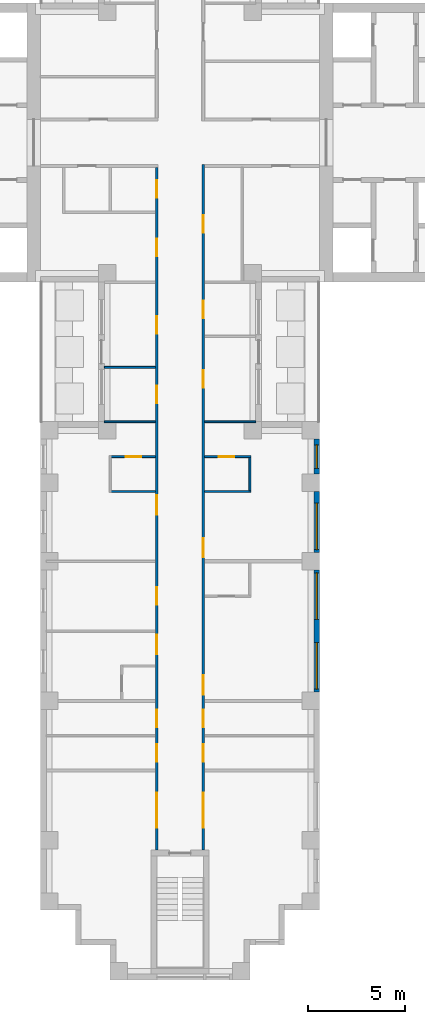
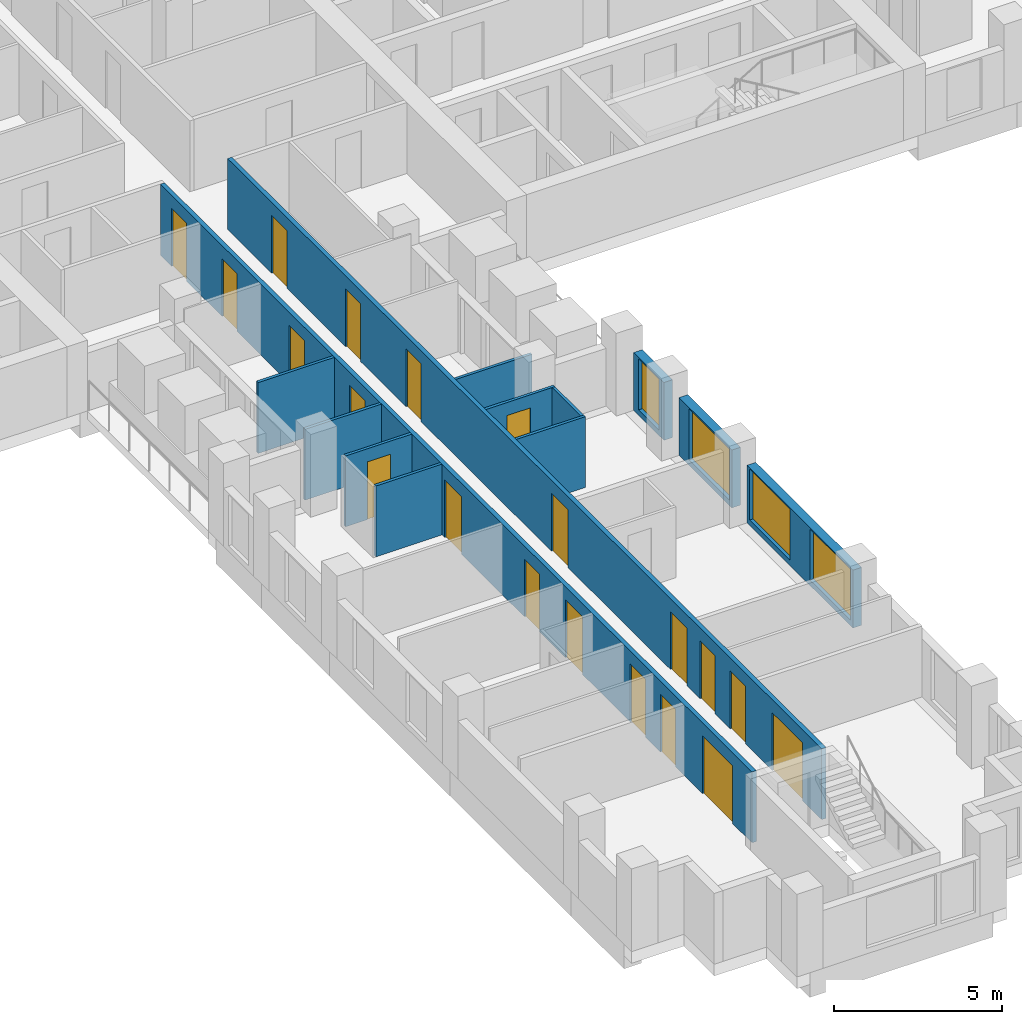
# One storey, part 4 of 15: 20 doors, 13 walls, 4 windows, 24 openings.
"""IFC4 building model written with IfcOpenShell, lengths in metres."""

from ifc_helpers import new_model, si_unit, direction, frame, frame_2d, origin, place, context, subcontext, project, spatial, rectangle, extrude, material, layer, layer_set, type_object, element, fill, save


model = new_model("IFC4")

# Units and contexts
model_context = context("Model", 3, precision=1e-05, world=origin(), true_north=direction((0.0, 1.0)))
body_context = subcontext(model_context, "Body", "Model", "MODEL_VIEW")
ifc_project = project(units=[si_unit("LENGTHUNIT", "METRE"), si_unit("AREAUNIT", "SQUARE_METRE"), si_unit("VOLUMEUNIT", "CUBIC_METRE"), si_unit("PLANEANGLEUNIT", "RADIAN"), si_unit("MASSUNIT", "GRAM", prefix="KILO")], contexts=[model_context])

# Site, building, storey
site_placement = place(None, origin())
site = spatial("IfcSite", under=ifc_project, at=site_placement, CompositionType="ELEMENT")
building_placement = place(site_placement, origin())
building = spatial("IfcBuilding", under=site, at=building_placement, Name="Fustian Cross Tower", CompositionType="ELEMENT")
storey_placement = place(building_placement, frame((0.0, 0.0, 41.699951171875)))
storey = spatial("IfcBuildingStorey", under=building, at=storey_placement, Name="L12", CompositionType="ELEMENT", Elevation=41.699951171875)

# Wall, openings, doors
ifc_material_1 = material(Name="Plasterboard on steel stud", Category="steel")
ifc_layer_1 = layer(ifc_material_1, 0.14990234375)
ifc_layer_set_1 = layer_set([ifc_layer_1], Name="Plasterboard on steel stud")
wall_type_1 = type_object("IfcWallType", Name="COMPARTMENT WALL 150 EI 60", PredefinedType="PARTITIONING", material=ifc_layer_set_1)
wall_1_placement = place(storey_placement, frame((-1.199951171875, -36.5, 0.0), z_axis=(0.0, 0.0, 1.0), x_axis=(0.0, 1.0, 0.0)))
wall_1 = element("IfcWall", 1, at=wall_1_placement, inside=storey, type_object=wall_type_1, Name="Partition 38", PredefinedType="PARTITIONING", context=body_context, shape_type="SweptSolid", body=[
    extrude(rectangle(XDim=35.22509765625, YDim=0.14990234375, at=frame_2d((17.612548828125, 0.0))), origin(), (0.0, 0.0, 1.0), 2.574951171875),
])
opening_1_placement = place(wall_1_placement, frame((33.64990234375, 0.0, 0.0)))
opening_1 = element("IfcOpeningElement", 2, at=opening_1_placement, cuts=wall_1, Name="Opening D07007", PredefinedType="OPENING", context=body_context, shape_type="SweptSolid", body=[
    extrude(rectangle(XDim=0.89990234375, YDim=2.10009765625, at=frame_2d((0.449951171875, 1.050048828125))), frame((0.0, 0.0849609375, 0.0), z_axis=(0.0, -1.0, 0.0), x_axis=(1.0, 0.0, 0.0)), (0.0, 0.0, 1.0), 0.169921875),
])
opening_2_placement = place(wall_1_placement, frame((30.64990234375, 0.0, 0.0)))
opening_2 = element("IfcOpeningElement", 3, at=opening_2_placement, cuts=wall_1, Name="Opening D07009", PredefinedType="OPENING", context=body_context, shape_type="SweptSolid", body=[
    extrude(rectangle(XDim=0.89990234375, YDim=2.10009765625, at=frame_2d((0.449951171875, 1.050048828125))), frame((0.0, 0.0849609375, 0.0), z_axis=(0.0, -1.0, 0.0), x_axis=(1.0, 0.0, 0.0)), (0.0, 0.0, 1.0), 0.169921875),
])
opening_3_placement = place(wall_1_placement, frame((23.050048828125, 0.0, 0.0)))
opening_3 = element("IfcOpeningElement", 4, at=opening_3_placement, cuts=wall_1, Name="Opening D07058", PredefinedType="OPENING", context=body_context, shape_type="SweptSolid", body=[
    extrude(rectangle(XDim=0.89990234375, YDim=2.10009765625, at=frame_2d((0.449951171875, 1.050048828125))), frame((0.0, 0.0849609375, 0.0), z_axis=(0.0, -1.0, 0.0), x_axis=(1.0, 0.0, 0.0)), (0.0, 0.0, 1.0), 0.169921875),
])
opening_4_placement = place(wall_1_placement, frame((26.64990234375, 0.0, 0.0)))
opening_4 = element("IfcOpeningElement", 5, at=opening_4_placement, cuts=wall_1, Name="Opening D07059", PredefinedType="OPENING", context=body_context, shape_type="SweptSolid", body=[
    extrude(rectangle(XDim=0.89990234375, YDim=2.10009765625, at=frame_2d((0.449951171875, 1.050048828125))), frame((0.0, 0.0849609375, 0.0), z_axis=(0.0, -1.0, 0.0), x_axis=(1.0, 0.0, 0.0)), (0.0, 0.0, 1.0), 0.169921875),
])
opening_5_placement = place(wall_1_placement, frame((17.300048828125, 0.0, 0.0)))
opening_5 = element("IfcOpeningElement", 6, at=opening_5_placement, cuts=wall_1, Name="Opening D07061", PredefinedType="OPENING", context=body_context, shape_type="SweptSolid", body=[
    extrude(rectangle(XDim=1.0, YDim=2.10009765625, at=frame_2d((0.5, 1.050048828125))), frame((0.0, 0.0849609375, 0.0), z_axis=(0.0, -1.0, 0.0), x_axis=(1.0, 0.0, 0.0)), (0.0, 0.0, 1.0), 0.169921875),
])
opening_6_placement = place(wall_1_placement, frame((12.64990234375, 0.0, 0.0)))
opening_6 = element("IfcOpeningElement", 7, at=opening_6_placement, cuts=wall_1, Name="Opening D07062", PredefinedType="OPENING", context=body_context, shape_type="SweptSolid", body=[
    extrude(rectangle(XDim=0.89990234375, YDim=2.10009765625, at=frame_2d((0.449951171875, 1.050048828125))), frame((0.0, 0.0849609375, 0.0), z_axis=(0.0, -1.0, 0.0), x_axis=(1.0, 0.0, 0.0)), (0.0, 0.0, 1.0), 0.169921875),
])
opening_7_placement = place(wall_1_placement, frame((10.10009765625, 0.0, 0.0)))
opening_7 = element("IfcOpeningElement", 8, at=opening_7_placement, cuts=wall_1, Name="Opening D07064", PredefinedType="OPENING", context=body_context, shape_type="SweptSolid", body=[
    extrude(rectangle(XDim=1.0, YDim=2.10009765625, at=frame_2d((0.5, 1.050048828125))), frame((0.0, 0.0849609375, 0.0), z_axis=(0.0, -1.0, 0.0), x_axis=(1.0, 0.0, 0.0)), (0.0, 0.0, 1.0), 0.169921875),
])
opening_8_placement = place(wall_1_placement, frame((6.35009765625, 0.0, 0.0)))
opening_8 = element("IfcOpeningElement", 9, at=opening_8_placement, cuts=wall_1, Name="Opening D07065", PredefinedType="OPENING", context=body_context, shape_type="SweptSolid", body=[
    extrude(rectangle(XDim=0.89990234375, YDim=2.10009765625, at=frame_2d((0.449951171875, 1.050048828125))), frame((0.0, 0.0849609375, 0.0), z_axis=(0.0, -1.0, 0.0), x_axis=(1.0, 0.0, 0.0)), (0.0, 0.0, 1.0), 0.169921875),
])
opening_9_placement = place(wall_1_placement, frame((4.550048828125, 0.0, 0.0)))
opening_9 = element("IfcOpeningElement", 10, at=opening_9_placement, cuts=wall_1, Name="Opening D07066", PredefinedType="OPENING", context=body_context, shape_type="SweptSolid", body=[
    extrude(rectangle(XDim=0.89990234375, YDim=2.10009765625, at=frame_2d((0.449951171875, 1.050048828125))), frame((0.0, 0.0849609375, 0.0), z_axis=(0.0, -1.0, 0.0), x_axis=(1.0, 0.0, 0.0)), (0.0, 0.0, 1.0), 0.169921875),
])
opening_10_placement = place(wall_1_placement, frame((1.14990234375, 0.0, 0.0)))
opening_10 = element("IfcOpeningElement", 11, at=opening_10_placement, cuts=wall_1, Name="Opening D07067", PredefinedType="OPENING", context=body_context, shape_type="SweptSolid", body=[
    extrude(rectangle(XDim=1.800048828125, YDim=2.10009765625, at=frame_2d((0.89990234375, 1.050048828125))), frame((0.0, 0.0849609375, 0.0), z_axis=(0.0, -1.0, 0.0), x_axis=(1.0, 0.0, 0.0)), (0.0, 0.0, 1.0), 0.169921875),
])
ifc_material_2 = material(Name="Timber fire door set", Category="wood")
door_type_1 = type_object("IfcDoorType", Name="FIRE DOUBLE DOOR 1800 FD30S", OperationType="DOUBLE_DOOR_DOUBLE_SWING", PredefinedType="DOOR", material=ifc_material_2)
door_1_placement = place(opening_10_placement, frame((1.800048828125, 0.0, 0.0), z_axis=(0.0, 0.0, 1.0), x_axis=(-1.0, 0.0, 0.0)))
door_1 = element("IfcDoor", 12, at=door_1_placement, inside=storey, type_object=door_type_1, Name="Door D07067", OperationType="DOUBLE_DOOR_DOUBLE_SWING", OverallHeight=2.10009765625, OverallWidth=1.800048828125, PredefinedType="DOOR", context=body_context, shape_type="SweptSolid", body=[
    extrude(rectangle(XDim=1.800048828125, YDim=2.10009765625, at=frame_2d((0.89990234375, 1.050048828125))), frame((0.0, 0.02490234375, 0.0), z_axis=(0.0, -1.0, 0.0), x_axis=(1.0, 0.0, 0.0)), (0.0, 0.0, 1.0), 0.050048828125),
])
fill(opening_10, door_1)
ifc_material_3 = material(Name="Timber fire door set", Category="wood")
door_type_2 = type_object("IfcDoorType", Name="FIRE SWING DOOR 1000 FD30S", OperationType="SINGLE_SWING_LEFT", PredefinedType="DOOR", material=ifc_material_3)
door_2_placement = place(opening_5_placement, origin())
door_2 = element("IfcDoor", 13, at=door_2_placement, inside=storey, type_object=door_type_2, Name="Door D07061", OperationType="SINGLE_SWING_RIGHT", OverallHeight=2.10009765625, OverallWidth=1.0, PredefinedType="DOOR", context=body_context, shape_type="SweptSolid", body=[
    extrude(rectangle(XDim=1.0, YDim=2.10009765625, at=frame_2d((0.5, 1.050048828125))), frame((0.0, 0.02490234375, 0.0), z_axis=(0.0, -1.0, 0.0), x_axis=(1.0, 0.0, 0.0)), (0.0, 0.0, 1.0), 0.050048828125),
])
fill(opening_5, door_2)
door_3_placement = place(opening_7_placement, origin())
door_3 = element("IfcDoor", 14, at=door_3_placement, inside=storey, type_object=door_type_2, Name="Door D07064", OperationType="SINGLE_SWING_RIGHT", OverallHeight=2.10009765625, OverallWidth=1.0, PredefinedType="DOOR", context=body_context, shape_type="SweptSolid", body=[
    extrude(rectangle(XDim=1.0, YDim=2.10009765625, at=frame_2d((0.5, 1.050048828125))), frame((0.0, 0.02490234375, 0.0), z_axis=(0.0, -1.0, 0.0), x_axis=(1.0, 0.0, 0.0)), (0.0, 0.0, 1.0), 0.050048828125),
])
fill(opening_7, door_3)
ifc_material_4 = material(Name="Timber fire door set", Category="wood")
door_type_3 = type_object("IfcDoorType", Name="FIRE SWING DOOR 900 FD30S", OperationType="SINGLE_SWING_LEFT", PredefinedType="DOOR", material=ifc_material_4)
door_4_placement = place(opening_1_placement, origin())
door_4 = element("IfcDoor", 15, at=door_4_placement, inside=storey, type_object=door_type_3, Name="Door D07007", OperationType="SINGLE_SWING_LEFT", OverallHeight=2.10009765625, OverallWidth=0.89990234375, PredefinedType="DOOR", context=body_context, shape_type="SweptSolid", body=[
    extrude(rectangle(XDim=0.89990234375, YDim=2.10009765625, at=frame_2d((0.449951171875, 1.050048828125))), frame((0.0, 0.02490234375, 0.0), z_axis=(0.0, -1.0, 0.0), x_axis=(1.0, 0.0, 0.0)), (0.0, 0.0, 1.0), 0.050048828125),
])
fill(opening_1, door_4)
door_5_placement = place(opening_2_placement, origin())
door_5 = element("IfcDoor", 16, at=door_5_placement, inside=storey, type_object=door_type_3, Name="Door D07009", OperationType="SINGLE_SWING_LEFT", OverallHeight=2.10009765625, OverallWidth=0.89990234375, PredefinedType="DOOR", context=body_context, shape_type="SweptSolid", body=[
    extrude(rectangle(XDim=0.89990234375, YDim=2.10009765625, at=frame_2d((0.449951171875, 1.050048828125))), frame((0.0, 0.02490234375, 0.0), z_axis=(0.0, -1.0, 0.0), x_axis=(1.0, 0.0, 0.0)), (0.0, 0.0, 1.0), 0.050048828125),
])
fill(opening_2, door_5)
door_6_placement = place(opening_3_placement, origin())
door_6 = element("IfcDoor", 17, at=door_6_placement, inside=storey, type_object=door_type_3, Name="Door D07058", OperationType="SINGLE_SWING_LEFT", OverallHeight=2.10009765625, OverallWidth=0.89990234375, PredefinedType="DOOR", context=body_context, shape_type="SweptSolid", body=[
    extrude(rectangle(XDim=0.89990234375, YDim=2.10009765625, at=frame_2d((0.449951171875, 1.050048828125))), frame((0.0, 0.02490234375, 0.0), z_axis=(0.0, -1.0, 0.0), x_axis=(1.0, 0.0, 0.0)), (0.0, 0.0, 1.0), 0.050048828125),
])
fill(opening_3, door_6)
door_7_placement = place(opening_4_placement, origin())
door_7 = element("IfcDoor", 18, at=door_7_placement, inside=storey, type_object=door_type_3, Name="Door D07059", OperationType="SINGLE_SWING_LEFT", OverallHeight=2.10009765625, OverallWidth=0.89990234375, PredefinedType="DOOR", context=body_context, shape_type="SweptSolid", body=[
    extrude(rectangle(XDim=0.89990234375, YDim=2.10009765625, at=frame_2d((0.449951171875, 1.050048828125))), frame((0.0, 0.02490234375, 0.0), z_axis=(0.0, -1.0, 0.0), x_axis=(1.0, 0.0, 0.0)), (0.0, 0.0, 1.0), 0.050048828125),
])
fill(opening_4, door_7)
door_8_placement = place(opening_6_placement, origin())
door_8 = element("IfcDoor", 19, at=door_8_placement, inside=storey, type_object=door_type_3, Name="Door D07062", OperationType="SINGLE_SWING_LEFT", OverallHeight=2.10009765625, OverallWidth=0.89990234375, PredefinedType="DOOR", context=body_context, shape_type="SweptSolid", body=[
    extrude(rectangle(XDim=0.89990234375, YDim=2.10009765625, at=frame_2d((0.449951171875, 1.050048828125))), frame((0.0, 0.02490234375, 0.0), z_axis=(0.0, -1.0, 0.0), x_axis=(1.0, 0.0, 0.0)), (0.0, 0.0, 1.0), 0.050048828125),
])
fill(opening_6, door_8)
door_9_placement = place(opening_8_placement, origin())
door_9 = element("IfcDoor", 20, at=door_9_placement, inside=storey, type_object=door_type_3, Name="Door D07065", OperationType="SINGLE_SWING_RIGHT", OverallHeight=2.10009765625, OverallWidth=0.89990234375, PredefinedType="DOOR", context=body_context, shape_type="SweptSolid", body=[
    extrude(rectangle(XDim=0.89990234375, YDim=2.10009765625, at=frame_2d((0.449951171875, 1.050048828125))), frame((0.0, 0.02490234375, 0.0), z_axis=(0.0, -1.0, 0.0), x_axis=(1.0, 0.0, 0.0)), (0.0, 0.0, 1.0), 0.050048828125),
])
fill(opening_8, door_9)
door_10_placement = place(opening_9_placement, origin())
door_10 = element("IfcDoor", 21, at=door_10_placement, inside=storey, type_object=door_type_3, Name="Door D07066", OperationType="SINGLE_SWING_RIGHT", OverallHeight=2.10009765625, OverallWidth=0.89990234375, PredefinedType="DOOR", context=body_context, shape_type="SweptSolid", body=[
    extrude(rectangle(XDim=0.89990234375, YDim=2.10009765625, at=frame_2d((0.449951171875, 1.050048828125))), frame((0.0, 0.02490234375, 0.0), z_axis=(0.0, -1.0, 0.0), x_axis=(1.0, 0.0, 0.0)), (0.0, 0.0, 1.0), 0.050048828125),
])
fill(opening_9, door_10)

wall_2_placement = place(storey_placement, frame((1.199951171875, -36.5, 0.0), z_axis=(0.0, 0.0, 1.0), x_axis=(0.0, 1.0, 0.0)))
wall_2 = element("IfcWall", 22, at=wall_2_placement, inside=storey, type_object=wall_type_1, Name="Partition 40", PredefinedType="PARTITIONING", context=body_context, shape_type="SweptSolid", body=[
    extrude(rectangle(XDim=35.375, YDim=0.14990234375, at=frame_2d((17.6875, 0.0))), origin(), (0.0, 0.0, 1.0), 2.574951171875),
])
opening_11_placement = place(wall_2_placement, frame((31.85009765625, 0.0, 0.0)))
opening_11 = element("IfcOpeningElement", 23, at=opening_11_placement, cuts=wall_2, Name="Opening D07005", PredefinedType="OPENING", context=body_context, shape_type="SweptSolid", body=[
    extrude(rectangle(XDim=0.89990234375, YDim=2.10009765625, at=frame_2d((0.449951171875, 1.050048828125))), frame((0.0, 0.0849609375, 0.0), z_axis=(0.0, -1.0, 0.0), x_axis=(1.0, 0.0, 0.0)), (0.0, 0.0, 1.0), 0.169921875),
])
opening_12_placement = place(wall_2_placement, frame((27.449951171875, 0.0, 0.0)))
opening_12 = element("IfcOpeningElement", 24, at=opening_12_placement, cuts=wall_2, Name="Opening D07049", PredefinedType="OPENING", context=body_context, shape_type="SweptSolid", body=[
    extrude(rectangle(XDim=0.89990234375, YDim=2.10009765625, at=frame_2d((0.449951171875, 1.050048828125))), frame((0.0, 0.0849609375, 0.0), z_axis=(0.0, -1.0, 0.0), x_axis=(1.0, 0.0, 0.0)), (0.0, 0.0, 1.0), 0.169921875),
])
opening_13_placement = place(wall_2_placement, frame((23.85009765625, 0.0, 0.0)))
opening_13 = element("IfcOpeningElement", 25, at=opening_13_placement, cuts=wall_2, Name="Opening D07050", PredefinedType="OPENING", context=body_context, shape_type="SweptSolid", body=[
    extrude(rectangle(XDim=0.89990234375, YDim=2.10009765625, at=frame_2d((0.449951171875, 1.050048828125))), frame((0.0, 0.0849609375, 0.0), z_axis=(0.0, -1.0, 0.0), x_axis=(1.0, 0.0, 0.0)), (0.0, 0.0, 1.0), 0.169921875),
])
opening_14_placement = place(wall_2_placement, frame((15.10009765625, 0.0, 0.0)))
opening_14 = element("IfcOpeningElement", 26, at=opening_14_placement, cuts=wall_2, Name="Opening D07052", PredefinedType="OPENING", context=body_context, shape_type="SweptSolid", body=[
    extrude(rectangle(XDim=1.0, YDim=2.10009765625, at=frame_2d((0.5, 1.050048828125))), frame((0.0, 0.0849609375, 0.0), z_axis=(0.0, -1.0, 0.0), x_axis=(1.0, 0.0, 0.0)), (0.0, 0.0, 1.0), 0.169921875),
])
opening_15_placement = place(wall_2_placement, frame((8.010009765625, 0.0, 0.0)))
opening_15 = element("IfcOpeningElement", 27, at=opening_15_placement, cuts=wall_2, Name="Opening D07054", PredefinedType="OPENING", context=body_context, shape_type="SweptSolid", body=[
    extrude(rectangle(XDim=1.0, YDim=2.10009765625, at=frame_2d((0.5, 1.050048828125))), frame((0.0, 0.0849609375, 0.0), z_axis=(0.0, -1.0, 0.0), x_axis=(1.0, 0.0, 0.0)), (0.0, 0.0, 1.0), 0.169921875),
])
opening_16_placement = place(wall_2_placement, frame((6.35009765625, 0.0, 0.0)))
opening_16 = element("IfcOpeningElement", 28, at=opening_16_placement, cuts=wall_2, Name="Opening D07055", PredefinedType="OPENING", context=body_context, shape_type="SweptSolid", body=[
    extrude(rectangle(XDim=0.89990234375, YDim=2.10009765625, at=frame_2d((0.449951171875, 1.050048828125))), frame((0.0, 0.0849609375, 0.0), z_axis=(0.0, -1.0, 0.0), x_axis=(1.0, 0.0, 0.0)), (0.0, 0.0, 1.0), 0.169921875),
])
opening_17_placement = place(wall_2_placement, frame((4.550048828125, 0.0, 0.0)))
opening_17 = element("IfcOpeningElement", 29, at=opening_17_placement, cuts=wall_2, Name="Opening D07056", PredefinedType="OPENING", context=body_context, shape_type="SweptSolid", body=[
    extrude(rectangle(XDim=0.89990234375, YDim=2.10009765625, at=frame_2d((0.449951171875, 1.050048828125))), frame((0.0, 0.0849609375, 0.0), z_axis=(0.0, -1.0, 0.0), x_axis=(1.0, 0.0, 0.0)), (0.0, 0.0, 1.0), 0.169921875),
])
opening_18_placement = place(wall_2_placement, frame((1.14990234375, 0.0, 0.0)))
opening_18 = element("IfcOpeningElement", 30, at=opening_18_placement, cuts=wall_2, Name="Opening D07057", PredefinedType="OPENING", context=body_context, shape_type="SweptSolid", body=[
    extrude(rectangle(XDim=1.800048828125, YDim=2.10009765625, at=frame_2d((0.89990234375, 1.050048828125))), frame((0.0, 0.0849609375, 0.0), z_axis=(0.0, -1.0, 0.0), x_axis=(1.0, 0.0, 0.0)), (0.0, 0.0, 1.0), 0.169921875),
])
door_11_placement = place(opening_18_placement, origin())
door_11 = element("IfcDoor", 31, at=door_11_placement, inside=storey, type_object=door_type_1, Name="Door D07057", OperationType="DOUBLE_DOOR_DOUBLE_SWING", OverallHeight=2.10009765625, OverallWidth=1.800048828125, PredefinedType="DOOR", context=body_context, shape_type="SweptSolid", body=[
    extrude(rectangle(XDim=1.800048828125, YDim=2.10009765625, at=frame_2d((0.89990234375, 1.050048828125))), frame((0.0, 0.02490234375, 0.0), z_axis=(0.0, -1.0, 0.0), x_axis=(1.0, 0.0, 0.0)), (0.0, 0.0, 1.0), 0.050048828125),
])
fill(opening_18, door_11)
door_12_placement = place(opening_14_placement, frame((1.0, 0.0, 0.0), z_axis=(0.0, 0.0, 1.0), x_axis=(-1.0, 0.0, 0.0)))
door_12 = element("IfcDoor", 32, at=door_12_placement, inside=storey, type_object=door_type_2, Name="Door D07052", OperationType="SINGLE_SWING_RIGHT", OverallHeight=2.10009765625, OverallWidth=1.0, PredefinedType="DOOR", context=body_context, shape_type="SweptSolid", body=[
    extrude(rectangle(XDim=1.0, YDim=2.10009765625, at=frame_2d((0.5, 1.050048828125))), frame((0.0, 0.02490234375, 0.0), z_axis=(0.0, -1.0, 0.0), x_axis=(1.0, 0.0, 0.0)), (0.0, 0.0, 1.0), 0.050048828125),
])
fill(opening_14, door_12)
door_13_placement = place(opening_15_placement, frame((1.0, 0.0, 0.0), z_axis=(0.0, 0.0, 1.0), x_axis=(-1.0, 0.0, 0.0)))
door_13 = element("IfcDoor", 33, at=door_13_placement, inside=storey, type_object=door_type_2, Name="Door D07054", OperationType="SINGLE_SWING_RIGHT", OverallHeight=2.10009765625, OverallWidth=1.0, PredefinedType="DOOR", context=body_context, shape_type="SweptSolid", body=[
    extrude(rectangle(XDim=1.0, YDim=2.10009765625, at=frame_2d((0.5, 1.050048828125))), frame((0.0, 0.02490234375, 0.0), z_axis=(0.0, -1.0, 0.0), x_axis=(1.0, 0.0, 0.0)), (0.0, 0.0, 1.0), 0.050048828125),
])
fill(opening_15, door_13)
door_14_placement = place(opening_11_placement, frame((0.89990234375, 0.0, 0.0), z_axis=(0.0, 0.0, 1.0), x_axis=(-1.0, 0.0, 0.0)))
door_14 = element("IfcDoor", 34, at=door_14_placement, inside=storey, type_object=door_type_3, Name="Door D07005", OperationType="SINGLE_SWING_RIGHT", OverallHeight=2.10009765625, OverallWidth=0.89990234375, PredefinedType="DOOR", context=body_context, shape_type="SweptSolid", body=[
    extrude(rectangle(XDim=0.89990234375, YDim=2.10009765625, at=frame_2d((0.449951171875, 1.050048828125))), frame((0.0, 0.02490234375, 0.0), z_axis=(0.0, -1.0, 0.0), x_axis=(1.0, 0.0, 0.0)), (0.0, 0.0, 1.0), 0.050048828125),
])
fill(opening_11, door_14)
door_15_placement = place(opening_12_placement, frame((0.89990234375, 0.0, 0.0), z_axis=(0.0, 0.0, 1.0), x_axis=(-1.0, 0.0, 0.0)))
door_15 = element("IfcDoor", 35, at=door_15_placement, inside=storey, type_object=door_type_3, Name="Door D07049", OperationType="SINGLE_SWING_RIGHT", OverallHeight=2.10009765625, OverallWidth=0.89990234375, PredefinedType="DOOR", context=body_context, shape_type="SweptSolid", body=[
    extrude(rectangle(XDim=0.89990234375, YDim=2.10009765625, at=frame_2d((0.449951171875, 1.050048828125))), frame((0.0, 0.02490234375, 0.0), z_axis=(0.0, -1.0, 0.0), x_axis=(1.0, 0.0, 0.0)), (0.0, 0.0, 1.0), 0.050048828125),
])
fill(opening_12, door_15)
door_16_placement = place(opening_13_placement, frame((0.89990234375, 0.0, 0.0), z_axis=(0.0, 0.0, 1.0), x_axis=(-1.0, 0.0, 0.0)))
door_16 = element("IfcDoor", 36, at=door_16_placement, inside=storey, type_object=door_type_3, Name="Door D07050", OperationType="SINGLE_SWING_RIGHT", OverallHeight=2.10009765625, OverallWidth=0.89990234375, PredefinedType="DOOR", context=body_context, shape_type="SweptSolid", body=[
    extrude(rectangle(XDim=0.89990234375, YDim=2.10009765625, at=frame_2d((0.449951171875, 1.050048828125))), frame((0.0, 0.02490234375, 0.0), z_axis=(0.0, -1.0, 0.0), x_axis=(1.0, 0.0, 0.0)), (0.0, 0.0, 1.0), 0.050048828125),
])
fill(opening_13, door_16)
door_17_placement = place(opening_16_placement, frame((0.89990234375, 0.0, 0.0), z_axis=(0.0, 0.0, 1.0), x_axis=(-1.0, 0.0, 0.0)))
door_17 = element("IfcDoor", 37, at=door_17_placement, inside=storey, type_object=door_type_3, Name="Door D07055", OperationType="SINGLE_SWING_LEFT", OverallHeight=2.10009765625, OverallWidth=0.89990234375, PredefinedType="DOOR", context=body_context, shape_type="SweptSolid", body=[
    extrude(rectangle(XDim=0.89990234375, YDim=2.10009765625, at=frame_2d((0.449951171875, 1.050048828125))), frame((0.0, 0.02490234375, 0.0), z_axis=(0.0, -1.0, 0.0), x_axis=(1.0, 0.0, 0.0)), (0.0, 0.0, 1.0), 0.050048828125),
])
fill(opening_16, door_17)
door_18_placement = place(opening_17_placement, frame((0.89990234375, 0.0, 0.0), z_axis=(0.0, 0.0, 1.0), x_axis=(-1.0, 0.0, 0.0)))
door_18 = element("IfcDoor", 38, at=door_18_placement, inside=storey, type_object=door_type_3, Name="Door D07056", OperationType="SINGLE_SWING_LEFT", OverallHeight=2.10009765625, OverallWidth=0.89990234375, PredefinedType="DOOR", context=body_context, shape_type="SweptSolid", body=[
    extrude(rectangle(XDim=0.89990234375, YDim=2.10009765625, at=frame_2d((0.449951171875, 1.050048828125))), frame((0.0, 0.02490234375, 0.0), z_axis=(0.0, -1.0, 0.0), x_axis=(1.0, 0.0, 0.0)), (0.0, 0.0, 1.0), 0.050048828125),
])
fill(opening_17, door_18)

# Walls
ifc_material_5 = material(Name="Plasterboard on steel stud", Category="steel")
ifc_layer_2 = layer(ifc_material_5, 0.10009765625)
ifc_layer_set_2 = layer_set([ifc_layer_2], Name="Plasterboard on steel stud")
wall_type_2 = type_object("IfcWallType", Name="PARTITION 100 STUD", PredefinedType="PARTITIONING", material=ifc_layer_set_2)
for number, where, z_axis, x_axis, name in (
    (39, (-3.89990234375, -14.39990234375, 0.0), (0.0, 0.0, 1.0), (1.0, 0.0, 0.0), "Partition 24"),
    (40, (-3.89990234375, -11.60009765625, 0.0), (0.0, 0.0, 1.0), (1.0, 0.0, 0.0), "Partition 25"),
):
    element("IfcWall", number, at=place(storey_placement, frame(where, z_axis=z_axis, x_axis=x_axis)), inside=storey, type_object=wall_type_2, Name=name, PredefinedType="PARTITIONING", context=body_context, shape_type="SweptSolid", body=[
        extrude(rectangle(XDim=2.625, YDim=0.10009765625, at=frame_2d((1.3125, 0.0))), origin(), (0.0, 0.0, 1.0), 2.574951171875),
    ])
wall_3_placement = place(storey_placement, frame((-3.550048828125, -18.0, 0.0), z_axis=(0.0, 0.0, 1.0), x_axis=(1.0, 0.0, 0.0)))
element("IfcWall", 41, at=wall_3_placement, inside=storey, type_object=wall_type_2, Name="Partition 30", PredefinedType="PARTITIONING", context=body_context, shape_type="SweptSolid", body=[
    extrude(rectangle(XDim=2.275146484375, YDim=0.10009765625, at=frame_2d((1.1376953125, 0.0))), origin(), (0.0, 0.0, 1.0), 2.574951171875),
])

# Wall, opening, door
wall_4_placement = place(storey_placement, frame((-3.550048828125, -16.199951171875, 0.0), z_axis=(0.0, 0.0, 1.0), x_axis=(1.0, 0.0, 0.0)))
wall_4 = element("IfcWall", 42, at=wall_4_placement, inside=storey, type_object=wall_type_2, Name="Partition 31", PredefinedType="PARTITIONING", context=body_context, shape_type="SweptSolid", body=[
    extrude(rectangle(XDim=2.275146484375, YDim=0.10009765625, at=frame_2d((1.1376953125, 0.0))), origin(), (0.0, 0.0, 1.0), 2.574951171875),
])
opening_19_placement = place(wall_4_placement, frame((0.75, 0.0, 0.0)))
opening_19 = element("IfcOpeningElement", 43, at=opening_19_placement, cuts=wall_4, Name="Opening D07060", PredefinedType="OPENING", context=body_context, shape_type="SweptSolid", body=[
    extrude(rectangle(XDim=0.800048828125, YDim=2.10009765625, at=frame_2d((0.39990234375, 1.050048828125))), frame((0.0, 0.06005859375, 0.0), z_axis=(0.0, -1.0, 0.0), x_axis=(1.0, 0.0, 0.0)), (0.0, 0.0, 1.0), 0.1201171875),
])
ifc_material_6 = material(Name="Painted timber", Category="wood")
door_type_4 = type_object("IfcDoorType", Name="SWING DOOR 800", OperationType="SINGLE_SWING_LEFT", PredefinedType="DOOR", material=ifc_material_6)
door_19_placement = place(opening_19_placement, frame((0.800048828125, 0.0, 0.0), z_axis=(0.0, 0.0, 1.0), x_axis=(-1.0, 0.0, 0.0)))
door_19 = element("IfcDoor", 44, at=door_19_placement, inside=storey, type_object=door_type_4, Name="Door D07060", OperationType="SINGLE_SWING_RIGHT", OverallHeight=2.10009765625, OverallWidth=0.800048828125, PredefinedType="DOOR", context=body_context, shape_type="SweptSolid", body=[
    extrude(rectangle(XDim=0.800048828125, YDim=2.10009765625, at=frame_2d((0.39990234375, 1.050048828125))), frame((0.0, 0.02490234375, 0.0), z_axis=(0.0, -1.0, 0.0), x_axis=(1.0, 0.0, 0.0)), (0.0, 0.0, 1.0), 0.050048828125),
])
fill(opening_19, door_19)

# Wall
wall_5_placement = place(storey_placement, frame((1.27490234375, -18.0, 0.0), z_axis=(0.0, 0.0, 1.0), x_axis=(1.0, 0.0, 0.0)))
element("IfcWall", 45, at=wall_5_placement, inside=storey, type_object=wall_type_2, Name="Partition 46", PredefinedType="PARTITIONING", context=body_context, shape_type="SweptSolid", body=[
    extrude(rectangle(XDim=2.375, YDim=0.10009765625, at=frame_2d((1.1875, 0.0))), origin(), (0.0, 0.0, 1.0), 2.574951171875),
])

# Wall, opening, door
wall_6_placement = place(storey_placement, frame((1.27490234375, -16.199951171875, 0.0), z_axis=(0.0, 0.0, 1.0), x_axis=(1.0, 0.0, 0.0)))
wall_6 = element("IfcWall", 46, at=wall_6_placement, inside=storey, type_object=wall_type_2, Name="Partition 47", PredefinedType="PARTITIONING", context=body_context, shape_type="SweptSolid", body=[
    extrude(rectangle(XDim=2.375, YDim=0.10009765625, at=frame_2d((1.1875, 0.0))), origin(), (0.0, 0.0, 1.0), 2.574951171875),
])
opening_20_placement = place(wall_6_placement, frame((0.72509765625, 0.0, 0.0)))
opening_20 = element("IfcOpeningElement", 47, at=opening_20_placement, cuts=wall_6, Name="Opening D07051", PredefinedType="OPENING", context=body_context, shape_type="SweptSolid", body=[
    extrude(rectangle(XDim=0.800048828125, YDim=2.10009765625, at=frame_2d((0.39990234375, 1.050048828125))), frame((0.0, 0.06005859375, 0.0), z_axis=(0.0, -1.0, 0.0), x_axis=(1.0, 0.0, 0.0)), (0.0, 0.0, 1.0), 0.1201171875),
])
door_20_placement = place(opening_20_placement, frame((0.800048828125, 0.0, 0.0), z_axis=(0.0, 0.0, 1.0), x_axis=(-1.0, 0.0, 0.0)))
door_20 = element("IfcDoor", 48, at=door_20_placement, inside=storey, type_object=door_type_4, Name="Door D07051", OperationType="SINGLE_SWING_RIGHT", OverallHeight=2.10009765625, OverallWidth=0.800048828125, PredefinedType="DOOR", context=body_context, shape_type="SweptSolid", body=[
    extrude(rectangle(XDim=0.800048828125, YDim=2.10009765625, at=frame_2d((0.39990234375, 1.050048828125))), frame((0.0, 0.02490234375, 0.0), z_axis=(0.0, -1.0, 0.0), x_axis=(1.0, 0.0, 0.0)), (0.0, 0.0, 1.0), 0.050048828125),
])
fill(opening_20, door_20)

# Walls
wall_7_placement = place(storey_placement, frame((1.27490234375, -14.39990234375, 0.0), z_axis=(0.0, 0.0, 1.0), x_axis=(1.0, 0.0, 0.0)))
element("IfcWall", 49, at=wall_7_placement, inside=storey, type_object=wall_type_2, Name="Partition 48", PredefinedType="PARTITIONING", context=body_context, shape_type="SweptSolid", body=[
    extrude(rectangle(XDim=2.625, YDim=0.10009765625, at=frame_2d((1.3125, 0.0))), origin(), (0.0, 0.0, 1.0), 2.574951171875),
])
wall_8_placement = place(storey_placement, frame((3.60009765625, -17.949951171875, 0.0), z_axis=(0.0, 0.0, 1.0), x_axis=(0.0, 1.0, 0.0)))
element("IfcWall", 50, at=wall_8_placement, inside=storey, type_object=wall_type_2, Name="Partition 72", PredefinedType="PARTITIONING", context=body_context, shape_type="SweptSolid", body=[
    extrude(rectangle(XDim=1.699951171875, YDim=0.10009765625, at=frame_2d((0.85009765625, 0.0))), origin(), (0.0, 0.0, 1.0), 2.574951171875),
])

# Wall, openings, windows
ifc_material_7 = material(Name="Dark aluminium cladding on insulated backing wall", Category="aluminium")
ifc_layer_3 = layer(ifc_material_7, 0.300048828125)
ifc_layer_set_3 = layer_set([ifc_layer_3], Name="Dark aluminium cladding on insulated backing wall")
wall_type_3 = type_object("IfcWallType", Name="XW1 EXTERNAL WALL 300", PredefinedType="SOLIDWALL", material=ifc_layer_set_3)
wall_9_placement = place(storey_placement, frame((7.050048828125, -28.35009765625, 0.0), z_axis=(0.0, 0.0, 1.0), x_axis=(0.0, 1.0, 0.0)))
wall_9 = element("IfcWall", 51, at=wall_9_placement, inside=storey, type_object=wall_type_3, Name="External wall", PredefinedType="SOLIDWALL", context=body_context, shape_type="SweptSolid", body=[
    extrude(rectangle(XDim=6.300048828125, YDim=0.300048828125, at=frame_2d((3.14990234375, 0.0))), origin(), (0.0, 0.0, 1.0), 2.10009765625),
])
opening_21_placement = place(wall_9_placement, frame((0.14990234375, 0.0, 0.199951171875)))
opening_21 = element("IfcOpeningElement", 52, at=opening_21_placement, cuts=wall_9, Name="Opening WN1", PredefinedType="OPENING", context=body_context, shape_type="SweptSolid", body=[
    extrude(rectangle(XDim=2.39990234375, YDim=1.85009765625, at=frame_2d((1.199951171875, 0.925048828125))), frame((0.0, 0.159912109375, 0.0), z_axis=(0.0, -1.0, 0.0), x_axis=(1.0, 0.0, 0.0)), (0.0, 0.0, 1.0), 0.320068359375),
])
opening_22_placement = place(wall_9_placement, frame((3.75, 0.0, 0.199951171875)))
opening_22 = element("IfcOpeningElement", 53, at=opening_22_placement, cuts=wall_9, Name="Opening WN1", PredefinedType="OPENING", context=body_context, shape_type="SweptSolid", body=[
    extrude(rectangle(XDim=2.39990234375, YDim=1.85009765625, at=frame_2d((1.199951171875, 0.925048828125))), frame((0.0, 0.159912109375, 0.0), z_axis=(0.0, -1.0, 0.0), x_axis=(1.0, 0.0, 0.0)), (0.0, 0.0, 1.0), 0.320068359375),
])
ifc_material_8 = material(Name="Dark anodised aluminium and double glazing", Category="aluminium")
window_type_1 = type_object("IfcWindowType", Name="WN1 WINDOW 2400X1850", PartitioningType="SINGLE_PANEL", PredefinedType="WINDOW", material=ifc_material_8)
window_1_placement = place(opening_21_placement, origin())
window_1 = element("IfcWindow", 54, at=window_1_placement, inside=storey, type_object=window_type_1, Name="Window", OverallHeight=1.85009765625, OverallWidth=2.39990234375, PartitioningType="SINGLE_PANEL", PredefinedType="WINDOW", context=body_context, shape_type="SweptSolid", body=[
    extrude(rectangle(XDim=2.39990234375, YDim=1.85009765625, at=frame_2d((1.199951171875, 0.925048828125))), frame((0.0, 0.030029296875, 0.0), z_axis=(0.0, -1.0, 0.0), x_axis=(1.0, 0.0, 0.0)), (0.0, 0.0, 1.0), 0.06005859375),
])
fill(opening_21, window_1)
window_2_placement = place(opening_22_placement, origin())
window_2 = element("IfcWindow", 55, at=window_2_placement, inside=storey, type_object=window_type_1, Name="Window", OverallHeight=1.85009765625, OverallWidth=2.39990234375, PartitioningType="SINGLE_PANEL", PredefinedType="WINDOW", context=body_context, shape_type="SweptSolid", body=[
    extrude(rectangle(XDim=2.39990234375, YDim=1.85009765625, at=frame_2d((1.199951171875, 0.925048828125))), frame((0.0, 0.030029296875, 0.0), z_axis=(0.0, -1.0, 0.0), x_axis=(1.0, 0.0, 0.0)), (0.0, 0.0, 1.0), 0.06005859375),
])
fill(opening_22, window_2)

# Wall, opening, window
wall_10_placement = place(storey_placement, frame((7.050048828125, -21.14990234375, 0.0), z_axis=(0.0, 0.0, 1.0), x_axis=(0.0, 1.0, 0.0)))
wall_10 = element("IfcWall", 56, at=wall_10_placement, inside=storey, type_object=wall_type_3, Name="External wall", PredefinedType="SOLIDWALL", context=body_context, shape_type="SweptSolid", body=[
    extrude(rectangle(XDim=3.14990234375, YDim=0.300048828125, at=frame_2d((1.574951171875, 0.0))), origin(), (0.0, 0.0, 1.0), 2.10009765625),
])
opening_23_placement = place(wall_10_placement, frame((0.14990234375, 0.0, 0.199951171875)))
opening_23 = element("IfcOpeningElement", 57, at=opening_23_placement, cuts=wall_10, Name="Opening WN1", PredefinedType="OPENING", context=body_context, shape_type="SweptSolid", body=[
    extrude(rectangle(XDim=2.39990234375, YDim=1.85009765625, at=frame_2d((1.199951171875, 0.925048828125))), frame((0.0, 0.159912109375, 0.0), z_axis=(0.0, -1.0, 0.0), x_axis=(1.0, 0.0, 0.0)), (0.0, 0.0, 1.0), 0.320068359375),
])
window_3_placement = place(opening_23_placement, origin())
window_3 = element("IfcWindow", 58, at=window_3_placement, inside=storey, type_object=window_type_1, Name="Window", OverallHeight=1.85009765625, OverallWidth=2.39990234375, PartitioningType="SINGLE_PANEL", PredefinedType="WINDOW", context=body_context, shape_type="SweptSolid", body=[
    extrude(rectangle(XDim=2.39990234375, YDim=1.85009765625, at=frame_2d((1.199951171875, 0.925048828125))), frame((0.0, 0.030029296875, 0.0), z_axis=(0.0, -1.0, 0.0), x_axis=(1.0, 0.0, 0.0)), (0.0, 0.0, 1.0), 0.06005859375),
])
fill(opening_23, window_3)

wall_11_placement = place(storey_placement, frame((7.050048828125, -17.10009765625, 0.0), z_axis=(0.0, 0.0, 1.0), x_axis=(0.0, 1.0, 0.0)))
wall_11 = element("IfcWall", 59, at=wall_11_placement, inside=storey, type_object=wall_type_3, Name="External wall", PredefinedType="SOLIDWALL", context=body_context, shape_type="SweptSolid", body=[
    extrude(rectangle(XDim=1.800048828125, YDim=0.300048828125, at=frame_2d((0.89990234375, 0.0))), origin(), (0.0, 0.0, 1.0), 2.10009765625),
])
opening_24_placement = place(wall_11_placement, frame((0.300048828125, 0.0, 0.199951171875)))
opening_24 = element("IfcOpeningElement", 60, at=opening_24_placement, cuts=wall_11, Name="Opening WN3", PredefinedType="OPENING", context=body_context, shape_type="SweptSolid", body=[
    extrude(rectangle(XDim=1.199951171875, YDim=1.85009765625, at=frame_2d((0.60009765625, 0.925048828125))), frame((0.0, 0.159912109375, 0.0), z_axis=(0.0, -1.0, 0.0), x_axis=(1.0, 0.0, 0.0)), (0.0, 0.0, 1.0), 0.320068359375),
])
ifc_material_9 = material(Name="Dark anodised aluminium and double glazing", Category="aluminium")
window_type_2 = type_object("IfcWindowType", Name="WN3 WINDOW 1200X1850", PartitioningType="SINGLE_PANEL", PredefinedType="WINDOW", material=ifc_material_9)
window_4_placement = place(opening_24_placement, origin())
window_4 = element("IfcWindow", 61, at=window_4_placement, inside=storey, type_object=window_type_2, Name="Window", OverallHeight=1.85009765625, OverallWidth=1.199951171875, PartitioningType="SINGLE_PANEL", PredefinedType="WINDOW", context=body_context, shape_type="SweptSolid", body=[
    extrude(rectangle(XDim=1.199951171875, YDim=1.85009765625, at=frame_2d((0.60009765625, 0.925048828125))), frame((0.0, 0.030029296875, 0.0), z_axis=(0.0, -1.0, 0.0), x_axis=(1.0, 0.0, 0.0)), (0.0, 0.0, 1.0), 0.06005859375),
])
fill(opening_24, window_4)

save(model, "model.ifc")
